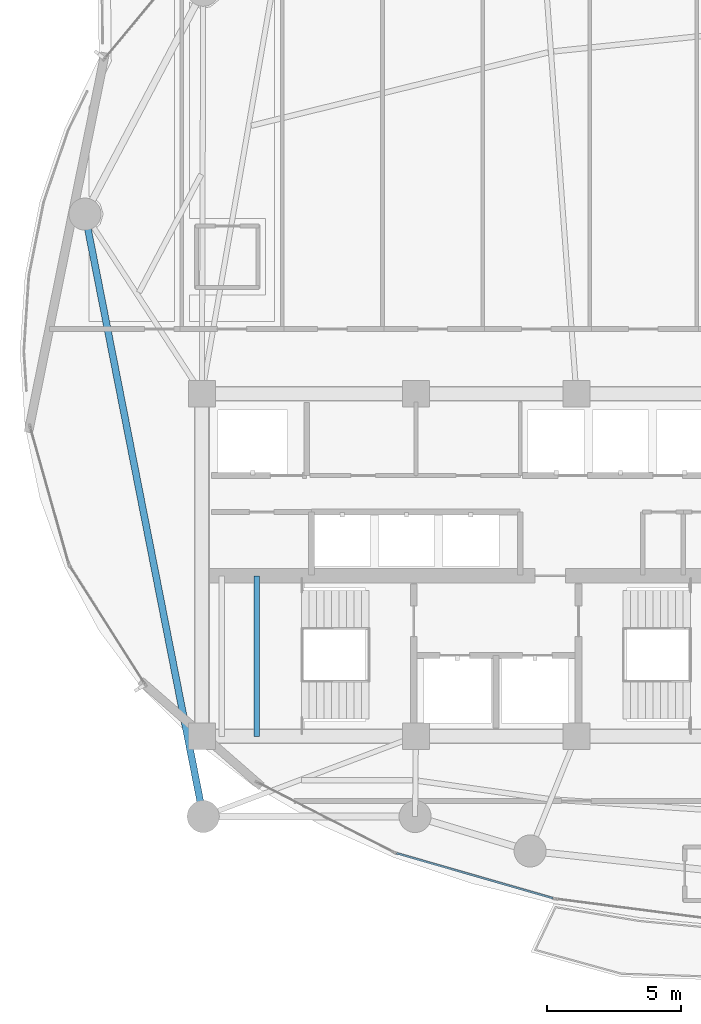
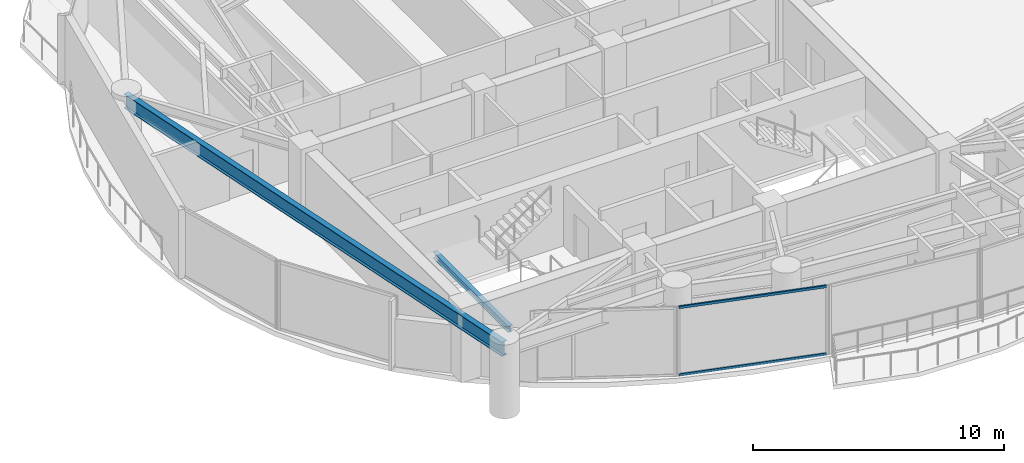
# One storey, part 4 of 28: 2 beams, 2 members, 1 element without a shape of its own.
"""IFC4 building model written with IfcOpenShell, lengths in metres."""

import ifcopenshell
import ifcopenshell.guid

model = None  # the IFC model being written
_history = None  # IfcOwnerHistory: only IFC2X3 demands one
_inside = {}  # id of a spatial element -> (the spatial element, [elements in it])
_under = {}  # id of a project, library or spatial element -> (it, [spatial elements below it])
_declared = {}  # id of a project -> (the project, [libraries it declares])
_typed = {}  # id of a type object -> (the type object, [elements of that type])
_made_of = {}  # id of a material, layer set ... -> (it, [elements and type objects made of it])


def new_model(schema):
    """Start an empty IFC model of exactly this schema.

    Asked for "IFC4X3", IfcOpenShell would pick the latest addendum, in which some entities
    have other attributes; the version numbers below select the first issue.
    IFC2X3 requires an IfcOwnerHistory on every rooted entity: one is made here for all.
    """
    global model, _history
    if schema == "IFC4X3":
        model = ifcopenshell.file(schema_version=(4, 3, 0, 0))
    else:
        model = ifcopenshell.file(schema=schema)
    _inside.clear()
    _under.clear()
    _declared.clear()
    _typed.clear()
    _made_of.clear()
    _history = None
    if model.schema == "IFC2X3":
        org = make("IfcOrganization", Name="unknown")
        user = make(
            "IfcPersonAndOrganization",
            ThePerson=make("IfcPerson", FamilyName="unknown"),
            TheOrganization=org,
        )
        app = make(
            "IfcApplication",
            ApplicationDeveloper=org,
            Version="unknown",
            ApplicationFullName="unknown",
            ApplicationIdentifier="unknown",
        )
        _history = make(
            "IfcOwnerHistory",
            OwningUser=user,
            OwningApplication=app,
            ChangeAction="ADDED",
            CreationDate=0,
        )
    return model


def make(cls, **values):
    """One entity of the class cls with the attributes given. An attribute that is None is left unset."""
    return model.create_entity(
        cls, **{name: value for name, value in values.items() if value is not None}
    )


def rooted(cls, **values):
    """An entity with a GlobalId (a new one), such as an element, a storey or a relation."""
    return make(cls, GlobalId=ifcopenshell.guid.new(), OwnerHistory=_history, **values)


def si_unit(unit_type, name, prefix=None):
    """IfcSIUnit, for example si_unit("LENGTHUNIT", "METRE", prefix="MILLI")."""
    return make("IfcSIUnit", UnitType=unit_type, Prefix=prefix, Name=name)


def assignment(units):
    """IfcUnitAssignment: the units of a project."""
    return None if units is None else make("IfcUnitAssignment", Units=units)


def point(xyz):
    """IfcCartesianPoint."""
    return None if xyz is None else make("IfcCartesianPoint", Coordinates=xyz)


def direction(xyz):
    """IfcDirection."""
    return None if xyz is None else make("IfcDirection", DirectionRatios=xyz)


def frame(location, z_axis=None, x_axis=None):
    """IfcAxis2Placement3D, a coordinate frame: its origin and axes. An axis left out is left unset."""
    return make(
        "IfcAxis2Placement3D",
        Location=point(location),
        Axis=direction(z_axis),
        RefDirection=direction(x_axis),
    )


def frame_2d(location, x_axis=None):
    """IfcAxis2Placement2D, a coordinate frame in the plane: its origin and x axis."""
    return make(
        "IfcAxis2Placement2D", Location=point(location), RefDirection=direction(x_axis)
    )


def origin():
    """The frame at (0, 0, 0) with its axes left unset."""
    return frame((0.0, 0.0, 0.0))


def origin_2d():
    """The frame at (0, 0) in the plane with its x axis left unset."""
    return frame_2d((0.0, 0.0))


def place(relative_to, where):
    """IfcLocalPlacement: puts the frame where relative to a parent placement (None: the world)."""
    return make(
        "IfcLocalPlacement", PlacementRelTo=relative_to, RelativePlacement=where
    )


def context(
    kind, dimensions, precision=None, world=None, true_north=None, identifier=None
):
    """IfcGeometricRepresentationContext, for example the 3D "Model" context."""
    return make(
        "IfcGeometricRepresentationContext",
        ContextIdentifier=identifier,
        ContextType=kind,
        CoordinateSpaceDimension=dimensions,
        Precision=precision,
        WorldCoordinateSystem=world,
        TrueNorth=true_north,
    )


def subcontext(parent, identifier, kind, view, scale=None):
    """IfcGeometricRepresentationSubContext, for example "Body" below "Model"."""
    return make(
        "IfcGeometricRepresentationSubContext",
        ContextIdentifier=identifier,
        ContextType=kind,
        ParentContext=parent,
        TargetScale=scale,
        TargetView=view,
    )


def project(units=None, contexts=None):
    """IfcProject with its units and contexts."""
    return rooted(
        "IfcProject",
        Name="project",
        RepresentationContexts=contexts,
        UnitsInContext=assignment(units),
    )


def spatial(cls, under=None, at=None, **own):
    """A site, building, storey or space (cls), placed at a placement, below another one or the project."""
    s = rooted(cls, ObjectPlacement=at, **own)
    if under is not None:
        _under.setdefault(under.id(), (under, []))[1].append(s)
    return s


def profile(cls, at=None, kind="AREA", **sizes):
    """A parametric profile (cls). Its sizes go by their IFC names, for example OverallWidth=200.0."""
    return make(cls, ProfileType=kind, Position=at, **sizes)


def hollow_rectangle(**sizes):
    """IfcRectangleHollowProfileDef."""
    return profile("IfcRectangleHollowProfileDef", **sizes)


def i_section(**sizes):
    """IfcIShapeProfileDef."""
    return profile("IfcIShapeProfileDef", **sizes)


def extrude(swept, where, along, depth):
    """IfcExtrudedAreaSolid: the profile swept, set in the frame where, extruded along a direction by depth."""
    return make(
        "IfcExtrudedAreaSolid",
        SweptArea=swept,
        Position=where,
        ExtrudedDirection=direction(along),
        Depth=depth,
    )


def shape(context_of_items, identifier, shape_type, items):
    """IfcShapeRepresentation: the items that make up one representation, for example the "Body"."""
    return make(
        "IfcShapeRepresentation",
        ContextOfItems=context_of_items,
        RepresentationIdentifier=identifier,
        RepresentationType=shape_type,
        Items=items,
    )


def material(Name=None, Category=None):
    """IfcMaterial."""
    return make("IfcMaterial", Name=Name, Category=Category)


def layer(
    of_material, thickness, ventilated=None, Name=None, Category=None, Priority=None
):
    """IfcMaterialLayer: one layer of a wall or slab, of a material (None: an air gap)."""
    return make(
        "IfcMaterialLayer",
        Material=of_material,
        LayerThickness=thickness,
        IsVentilated=ventilated,
        Name=Name,
        Category=Category,
        Priority=Priority,
    )


def layer_set(layers, Name=None):
    """IfcMaterialLayerSet."""
    return make("IfcMaterialLayerSet", MaterialLayers=layers, LayerSetName=Name)


def material_profile(
    of_material, cross_section, Name=None, Category=None, Priority=None
):
    """IfcMaterialProfile: a cross section and its material."""
    return make(
        "IfcMaterialProfile",
        Name=Name,
        Material=of_material,
        Profile=cross_section,
        Priority=Priority,
        Category=Category,
    )


def profile_set(profiles, Name=None, composite=None):
    """IfcMaterialProfileSet."""
    return make(
        "IfcMaterialProfileSet",
        Name=Name,
        MaterialProfiles=profiles,
        CompositeProfile=composite,
    )


def made_of(thing, what):
    """Note that an element or type object is made of a material, layer set ...; save() writes the relation."""
    if what is not None:
        _made_of.setdefault(what.id(), (what, []))[1].append(thing)
    return thing


def type_object(cls, material=None, **own):
    """A type object (cls), such as IfcWallType, which elements share."""
    return made_of(rooted(cls, **own), material)


def element(
    cls,
    number,
    at=None,
    inside=None,
    cuts=None,
    type_object=None,
    material=None,
    context=None,
    identifier="Body",
    shape_type=None,
    held_by="IfcProductDefinitionShape",
    body=None,
    shapes=None,
    **own,
):
    """One element of the class cls, such as IfcWall. Its Tag is "e" and its number.

    at: its placement. inside: the storey or other place that contains it. cuts: it is an
    opening in that element (IfcRelVoidsElement). A single representation is given by context,
    identifier, shape_type and body (its items); several are given by shapes. held_by: the class
    of the entity that holds the representations. save() writes the other relations.
    """
    e = rooted(cls, Tag="e%d" % number, ObjectPlacement=at, **own)
    if body is not None:
        shapes = [shape(context, identifier, shape_type, body)]
    if shapes is not None:
        e.Representation = make(held_by, Representations=shapes)
    if inside is not None:
        _inside.setdefault(inside.id(), (inside, []))[1].append(e)
    if cuts is not None:
        rooted(
            "IfcRelVoidsElement", RelatingBuildingElement=cuts, RelatedOpeningElement=e
        )
    if type_object is not None:
        _typed.setdefault(type_object.id(), (type_object, []))[1].append(e)
    return made_of(e, material)


def aggregate(whole, parts):
    """IfcRelAggregates: a whole, such as a stair, and the parts it consists of."""
    return rooted("IfcRelAggregates", RelatingObject=whole, RelatedObjects=parts)


def save(model, path):
    """Write the relations noted so far, then the file.

    IfcRelAggregates (storeys below a building ...), IfcRelContainedInSpatialStructure (elements
    in a storey), IfcRelDefinesByType, IfcRelAssociatesMaterial and IfcRelDeclares: one each for
    every whole, place, type object, material and project.
    """
    for whole, parts in _under.values():
        aggregate(whole, parts)
    for where, things in _inside.values():
        rooted(
            "IfcRelContainedInSpatialStructure",
            RelatedElements=things,
            RelatingStructure=where,
        )
    for kind, things in _typed.values():
        rooted("IfcRelDefinesByType", RelatedObjects=things, RelatingType=kind)
    for what, things in _made_of.values():
        rooted("IfcRelAssociatesMaterial", RelatedObjects=things, RelatingMaterial=what)
    for by, libraries in _declared.values():
        rooted("IfcRelDeclares", RelatingContext=by, RelatedDefinitions=libraries)
    model.write(path)


model = new_model("IFC4")

# Units and contexts
model_context = context("Model", 3, precision=1e-05, world=origin(), true_north=direction((0.0, 1.0)))
body_context = subcontext(model_context, "Body", "Model", "MODEL_VIEW")
ifc_project = project(units=[si_unit("LENGTHUNIT", "METRE"), si_unit("AREAUNIT", "SQUARE_METRE"), si_unit("VOLUMEUNIT", "CUBIC_METRE"), si_unit("PLANEANGLEUNIT", "RADIAN"), si_unit("MASSUNIT", "GRAM", prefix="KILO")], contexts=[model_context])

# Site, building, storey
site_placement = place(None, origin())
site = spatial("IfcSite", under=ifc_project, at=site_placement, CompositionType="ELEMENT")
building_placement = place(site_placement, origin())
building = spatial("IfcBuilding", under=site, at=building_placement, Name="Kazevale Care Tower and Concert Hall", CompositionType="ELEMENT")
storey_placement = place(building_placement, frame((0.0, 0.0, 120.60009765625)))
storey = spatial("IfcBuildingStorey", under=building, at=storey_placement, Name="L31", CompositionType="ELEMENT", Elevation=120.60009765625)

# Curtain wall, members
ifc_material_1 = material(Name="Aluminium 6063-T6 and Low-E Glass", Category="aluminium")
ifc_layer = layer(ifc_material_1, 0.179931640625)
ifc_layer_set = layer_set([ifc_layer], Name="Aluminium 6063-T6 and Low-E Glass")
curtain_wall_type = type_object("IfcCurtainWallType", Name="Sheltered Concave Balcony Curtain Wall CW-5", PredefinedType="NOTDEFINED", material=ifc_layer_set)
curtain_wall_placement = place(storey_placement, origin())
curtain_wall = element("IfcCurtainWall", 1, at=curtain_wall_placement, inside=storey, type_object=curtain_wall_type, Name="cw:L31:f08", PredefinedType="NOTDEFINED")
ifc_material_2 = material(Name="Aluminium 6063-T6", Category="aluminium")
ifc_material_profile_1 = material_profile(ifc_material_2, hollow_rectangle(XDim=0.074951171875, YDim=0.1201171875, WallThickness=0.00390625, at=origin_2d()), Name="ALU75x120x4")
ifc_profile_set_1 = profile_set([ifc_material_profile_1], Name="Aluminium 6063-T6")
member_type = type_object("IfcMemberType", Name="CW-5 Transom ALU75x120x4", PredefinedType="USERDEFINED", material=ifc_profile_set_1)
member_1_placement = place(storey_placement, frame((35.121826171875, 17.545654296875, 0.037353515625), z_axis=(-0.961067703236, 0.276312992451, 0.0), x_axis=(-0.276312992451, -0.961067703236, 0.0)))
member_1 = element("IfcMember", 2, at=member_1_placement, type_object=member_type, Name="CW-5 transom 1.1", ObjectType="TRANSOM", PredefinedType="USERDEFINED", context=body_context, shape_type="SweptSolid", body=[
    extrude(hollow_rectangle(XDim=0.074951171875, YDim=0.1201171875, WallThickness=0.00390625, at=origin_2d()), origin(), (0.0, 0.0, 1.0), 6.075439453125),
])
member_2_placement = place(storey_placement, frame((35.121826171875, 17.545654296875, 3.322509765625), z_axis=(-0.961067703236, 0.276312992451, 0.0), x_axis=(-0.276312992451, -0.961067703236, 0.0)))
member_2 = element("IfcMember", 3, at=member_2_placement, type_object=member_type, Name="CW-5 transom 1.2", ObjectType="TRANSOM", PredefinedType="USERDEFINED", context=body_context, shape_type="SweptSolid", body=[
    extrude(hollow_rectangle(XDim=0.074951171875, YDim=0.1201171875, WallThickness=0.00390625, at=origin_2d()), origin(), (0.0, 0.0, 1.0), 6.075439453125),
])
aggregate(curtain_wall, [member_1, member_2])

# Beams
ifc_material_3 = material(Name="Steel ASTM A572 Gr 50", Category="steel")
ifc_material_profile_2 = material_profile(ifc_material_3, i_section(OverallWidth=0.202880859375, OverallDepth=0.302978515625, WebThickness=0.007568359375, FlangeThickness=0.01318359375, at=origin_2d()), Name="W310x60")
ifc_profile_set_2 = profile_set([ifc_material_profile_2], Name="Steel ASTM A572 Gr 50")
beam_type_1 = type_object("IfcBeamType", Name="Stair & Balcony Trimmer W310x60", PredefinedType="BEAM", material=ifc_profile_set_2)
beam_1_placement = place(storey_placement, frame((24.050048828125, 23.60009765625, 1.448486328125), z_axis=(0.0, 1.0, 0.0), x_axis=(-1.0, 0.0, 0.0)))
element("IfcBeam", 4, at=beam_1_placement, inside=storey, type_object=beam_type_1, Name="beam:L31:sttrim:ST1b", PredefinedType="BEAM", context=body_context, shape_type="SweptSolid", body=[
    extrude(i_section(OverallWidth=0.202880859375, OverallDepth=0.302978515625, WebThickness=0.007568359375, FlangeThickness=0.01318359375, at=origin_2d()), origin(), (0.0, 0.0, 1.0), 6.0),
])
ifc_material_profile_3 = material_profile(ifc_material_3, i_section(OverallWidth=0.256103515625, OverallDepth=0.693115234375, WebThickness=0.014404296875, FlangeThickness=0.023681640625, at=origin_2d()), Name="W690x170")
ifc_profile_set_3 = profile_set([ifc_material_profile_3], Name="Steel ASTM A572 Gr 50")
beam_type_2 = type_object("IfcBeamType", Name="Waist Ring Beam W690x170", PredefinedType="BEAM", material=ifc_profile_set_3)
beam_2_placement = place(storey_placement, frame((17.6298828125, 43.1201171875, 3.013427734375), z_axis=(0.192602267784, -0.9812769061, 0.0), x_axis=(0.9812769061, 0.192602267784, 0.0)))
element("IfcBeam", 5, at=beam_2_placement, inside=storey, type_object=beam_type_2, Name="beam:L31:ring:09", PredefinedType="BEAM", context=body_context, shape_type="SweptSolid", body=[
    extrude(i_section(OverallWidth=0.256103515625, OverallDepth=0.693115234375, WebThickness=0.014404296875, FlangeThickness=0.023681640625, at=origin_2d()), origin(), (0.0, 0.0, 1.0), 22.94970703125),
])

save(model, "model.ifc")
